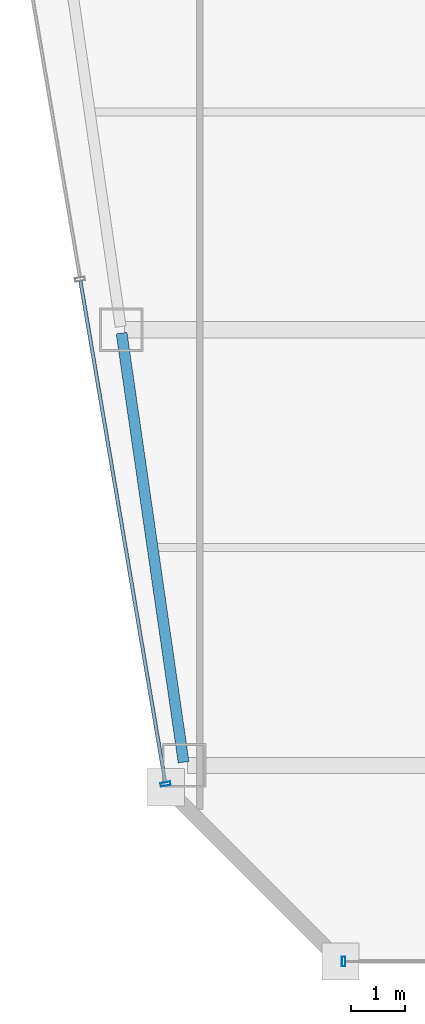
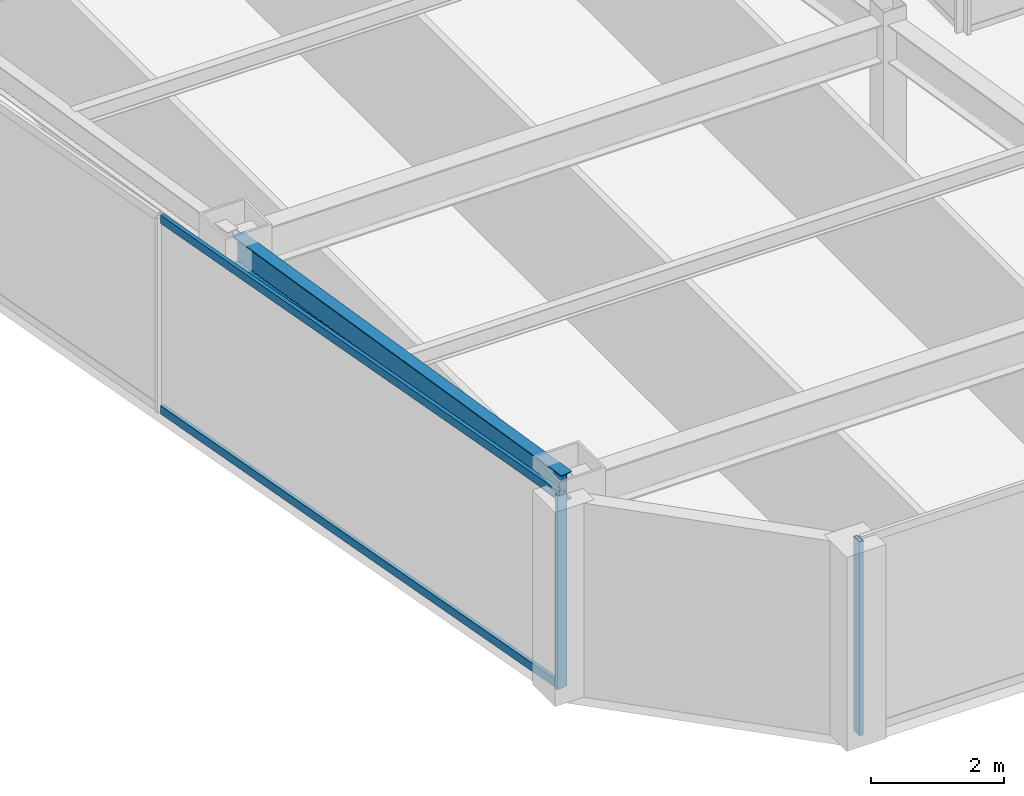
# One storey, part 3 of 35: 4 members, 1 beam, 2 elements without a shape of their own.
"""IFC4 building model written with IfcOpenShell, lengths in metres."""

from ifc_helpers import new_model, si_unit, direction, frame, origin, origin_2d, place, context, subcontext, project, spatial, hollow_rectangle, i_section, extrude, material, material_profile, profile_set, type_object, element, aggregate, save


model = new_model("IFC4")

# Units and contexts
model_context = context("Model", 3, precision=1e-05, world=origin(), true_north=direction((0.0, 1.0)))
body_context = subcontext(model_context, "Body", "Model", "MODEL_VIEW")
ifc_project = project(units=[si_unit("LENGTHUNIT", "METRE"), si_unit("AREAUNIT", "SQUARE_METRE"), si_unit("VOLUMEUNIT", "CUBIC_METRE"), si_unit("PLANEANGLEUNIT", "RADIAN"), si_unit("MASSUNIT", "GRAM", prefix="KILO")], contexts=[model_context])

# Site, building, storey
site_placement = place(None, origin())
site = spatial("IfcSite", under=ifc_project, at=site_placement, CompositionType="ELEMENT")
building_placement = place(site_placement, origin())
building = spatial("IfcBuilding", under=site, at=building_placement, Name="Saevonmaru Cultural Tower", CompositionType="ELEMENT")
storey_placement = place(building_placement, frame((0.0, 0.0, 194.199951171875)))
storey = spatial("IfcBuildingStorey", under=building, at=storey_placement, Name="L44", CompositionType="ELEMENT", Elevation=194.199951171875)

# Beam
ifc_material_1 = material(Name="Steel SM355", Category="steel")
ifc_material_profile_1 = material_profile(ifc_material_1, i_section(OverallWidth=0.199951171875, OverallDepth=0.5, WebThickness=0.010009765625, FlangeThickness=0.01611328125, FilletRadius=0.02001953125, at=origin_2d()), Name="H-500x200x10x16")
ifc_profile_set_1 = profile_set([ifc_material_profile_1], Name="Steel SM355")
beam_type = type_object("IfcBeamType", Name="BM-SP-H500", PredefinedType="SPANDREL", material=ifc_profile_set_1)
beam_placement = place(storey_placement, frame((10.619384765625, 16.059326171875, 3.300048828125), z_axis=(-0.142992129437, 0.989723825579, 0.0), x_axis=(-0.989723825579, -0.142992129437, 0.0)))
element("IfcBeam", 1, at=beam_placement, inside=storey, type_object=beam_type, Name="L44 West Splayed Spandrel 1", PredefinedType="SPANDREL", context=body_context, shape_type="SweptSolid", body=[
    extrude(i_section(OverallWidth=0.199951171875, OverallDepth=0.5, WebThickness=0.010009765625, FlangeThickness=0.01611328125, FilletRadius=0.02001953125, at=origin_2d()), origin(), (0.0, 0.0, 1.0), 7.963134765625),
])

# Curtain wall, member
ifc_material_2 = material(Name="Satin Bronze Anodised Aluminium", Category="aluminium")
curtain_wall_type = type_object("IfcCurtainWallType", Name="CW-TYP-B", PredefinedType="NOTDEFINED", material=ifc_material_2)
curtain_wall_1_placement = place(storey_placement, origin())
curtain_wall_1 = element("IfcCurtainWall", 2, at=curtain_wall_1_placement, inside=storey, type_object=curtain_wall_type, Name="L44 Unitised Curtain Wall E2", PredefinedType="NOTDEFINED")
ifc_material_profile_2 = material_profile(ifc_material_2, hollow_rectangle(XDim=0.06494140625, YDim=0.179931640625, WallThickness=0.00390625, at=origin_2d()), Name="ALU-MULL-180x65x4")
ifc_profile_set_2 = profile_set([ifc_material_profile_2], Name="Satin Bronze Anodised Aluminium")
member_type_1 = type_object("IfcMemberType", Name="ML-CW-180x65", PredefinedType="MULLION", material=ifc_profile_set_2)
member_1_placement = place(storey_placement, frame((13.557861328125, 12.39990234375, 0.0), z_axis=(0.0, 0.0, 1.0), x_axis=(1.0, 0.0, 0.0)))
member_1 = element("IfcMember", 3, at=member_1_placement, type_object=member_type_1, Name="CW-TW-L44-E2 mullion 1", PredefinedType="MULLION", context=body_context, shape_type="SweptSolid", body=[
    extrude(hollow_rectangle(XDim=0.06494140625, YDim=0.179931640625, WallThickness=0.00390625, at=origin_2d()), origin(), (0.0, 0.0, 1.0), 3.550048828125),
])
aggregate(curtain_wall_1, [member_1])

# Curtain wall, members
curtain_wall_2_placement = place(storey_placement, origin())
curtain_wall_2 = element("IfcCurtainWall", 4, at=curtain_wall_2_placement, inside=storey, type_object=curtain_wall_type, Name="L44 Unitised Curtain Wall E12", PredefinedType="NOTDEFINED")
member_2_placement = place(storey_placement, frame((10.287841796875, 15.6591796875, 0.0), z_axis=(0.0, 0.0, 1.0), x_axis=(0.16692169721, -0.985970155228, 0.0)))
member_2 = element("IfcMember", 5, at=member_2_placement, type_object=member_type_1, Name="CW-TW-L44-E12 mullion 5", PredefinedType="MULLION", context=body_context, shape_type="SweptSolid", body=[
    extrude(hollow_rectangle(XDim=0.06494140625, YDim=0.179931640625, WallThickness=0.00390625, at=origin_2d()), origin(), (0.0, 0.0, 1.0), 3.550048828125),
])
ifc_material_profile_3 = material_profile(ifc_material_2, hollow_rectangle(XDim=0.06494140625, YDim=0.14990234375, WallThickness=0.00390625, at=origin_2d()), Name="ALU-TRAN-150x65x4")
ifc_profile_set_3 = profile_set([ifc_material_profile_3], Name="Satin Bronze Anodised Aluminium")
member_type_2 = type_object("IfcMemberType", Name="TR-CW-150x65", PredefinedType="USERDEFINED", material=ifc_profile_set_3)
member_3_placement = place(storey_placement, frame((8.723876953125, 24.8974609375, 0.032470703125), z_axis=(0.166921263871, -0.985970228591, 0.0), x_axis=(0.985970228591, 0.166921263871, 0.0)))
member_3 = element("IfcMember", 6, at=member_3_placement, type_object=member_type_2, Name="CW-TW-L44-E12 transom 4.1", ObjectType="TRANSOM", PredefinedType="USERDEFINED", context=body_context, shape_type="SweptSolid", body=[
    extrude(hollow_rectangle(XDim=0.06494140625, YDim=0.14990234375, WallThickness=0.00390625, at=origin_2d()), origin(), (0.0, 0.0, 1.0), 9.33740234375),
])
member_4_placement = place(storey_placement, frame((8.723876953125, 24.8974609375, 3.517578125), z_axis=(0.166921263871, -0.985970228591, 0.0), x_axis=(0.985970228591, 0.166921263871, 0.0)))
member_4 = element("IfcMember", 7, at=member_4_placement, type_object=member_type_2, Name="CW-TW-L44-E12 transom 4.2", ObjectType="TRANSOM", PredefinedType="USERDEFINED", context=body_context, shape_type="SweptSolid", body=[
    extrude(hollow_rectangle(XDim=0.06494140625, YDim=0.14990234375, WallThickness=0.00390625, at=origin_2d()), origin(), (0.0, 0.0, 1.0), 9.33740234375),
])
aggregate(curtain_wall_2, [member_2, member_3, member_4])

save(model, "model.ifc")
